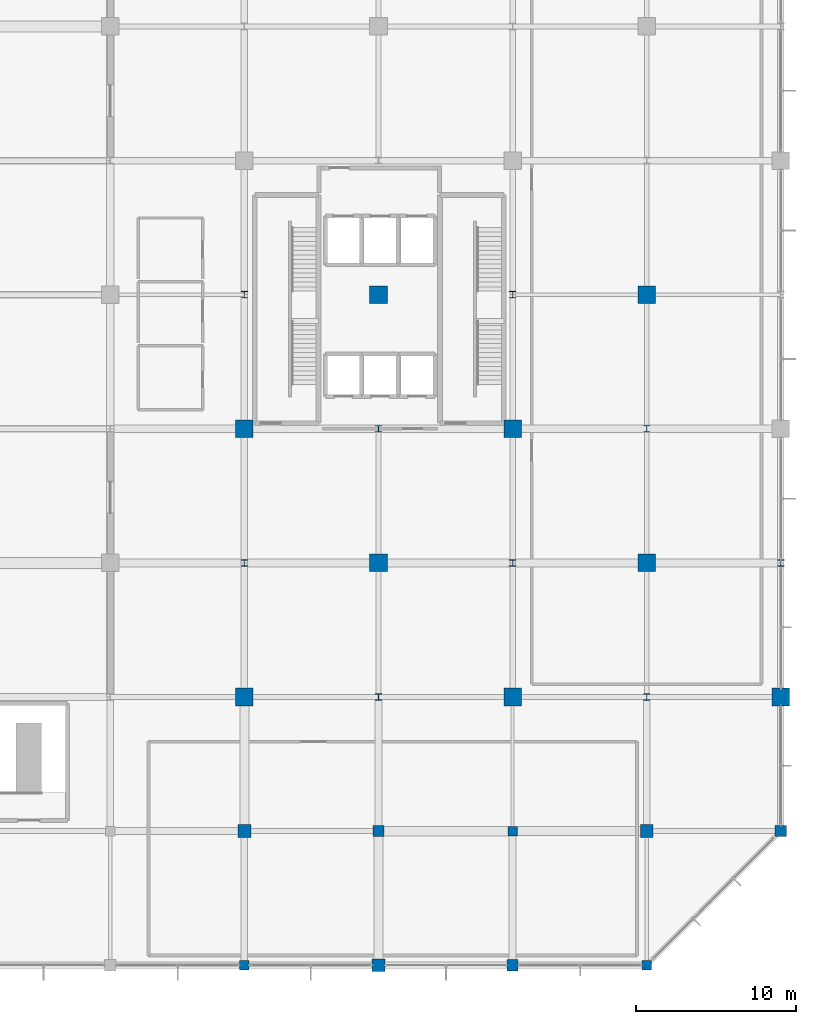
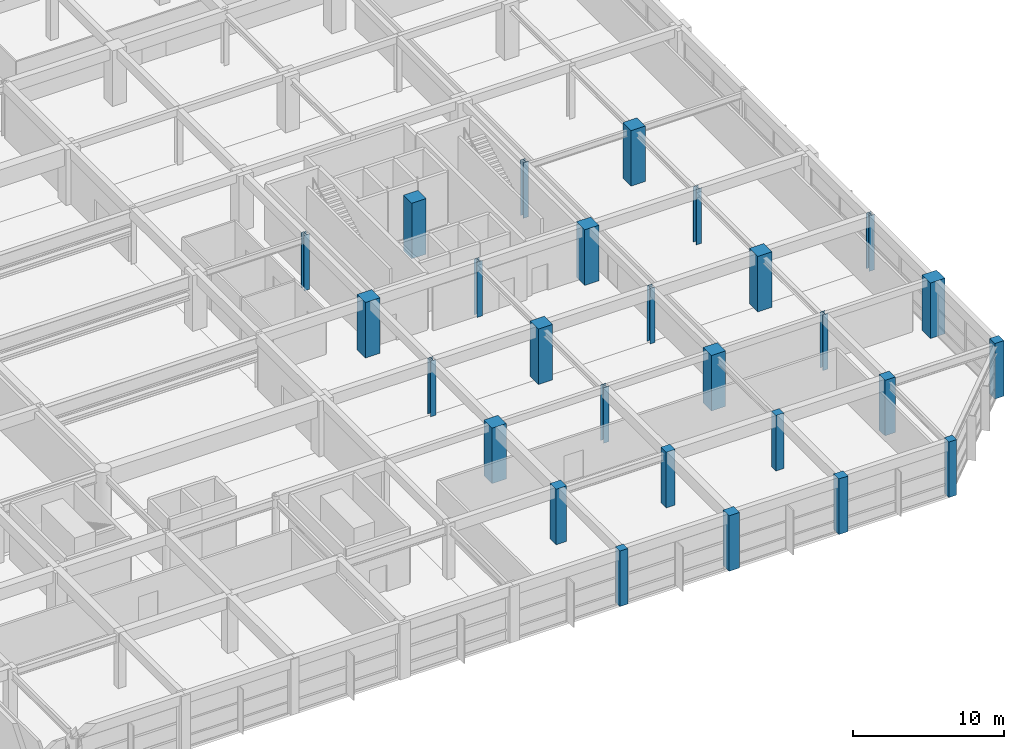
# One storey, part 7 of 56: 27 columns.
"""IFC4 building model written with IfcOpenShell, lengths in metres."""

from ifc_helpers import new_model, si_unit, direction, frame, origin, origin_2d, place, context, subcontext, project, spatial, rectangle, i_section, extrude, material, material_profile, profile_set, type_object, element, save


model = new_model("IFC4")

# Units and contexts
model_context = context("Model", 3, precision=1e-05, world=origin(), true_north=direction((0.0, 1.0)))
body_context = subcontext(model_context, "Body", "Model", "MODEL_VIEW")
ifc_project = project(units=[si_unit("LENGTHUNIT", "METRE"), si_unit("AREAUNIT", "SQUARE_METRE"), si_unit("VOLUMEUNIT", "CUBIC_METRE"), si_unit("PLANEANGLEUNIT", "RADIAN"), si_unit("MASSUNIT", "GRAM", prefix="KILO")], contexts=[model_context])

# Site, building, storey
site_placement = place(None, origin())
site = spatial("IfcSite", under=ifc_project, at=site_placement, CompositionType="ELEMENT")
building_placement = place(site_placement, origin())
building = spatial("IfcBuilding", under=site, at=building_placement, Name="Xuanlan Plaza Opera House", CompositionType="ELEMENT")
storey_placement = place(building_placement, frame((0.0, 0.0, 18.89990234375)))
storey = spatial("IfcBuildingStorey", under=building, at=storey_placement, Name="L04", CompositionType="ELEMENT", Elevation=18.89990234375)

# Columns
ifc_material_1 = material(Name="Concrete C50", Category="concrete")
ifc_material_profile_1 = material_profile(ifc_material_1, rectangle(XDim=1.10009765625, YDim=1.10009765625, at=origin_2d()), Name="RC-COL 1100x1100")
ifc_profile_set_1 = profile_set([ifc_material_profile_1], Name="Concrete C50")
column_type_1 = type_object("IfcColumnType", Name="STR-COL-C-03", PredefinedType="COLUMN", material=ifc_profile_set_1)
for number, where, z_axis, x_axis, name in (
    (1, (134.39990234375, 33.60009765625, 0.0), (0.0, 0.0, 1.0), (1.0, 0.0, 0.0), "Column L04 17-E"),
    (2, (134.39990234375, 50.39990234375, 0.0), (0.0, 0.0, 1.0), (1.0, 0.0, 0.0), "Column L04 17-G"),
    (3, (142.800048828125, 42.0, 0.0), (0.0, 0.0, 1.0), (1.0, 0.0, 0.0), "Column L04 18-F"),
    (4, (142.800048828125, 58.800048828125, 0.0), (0.0, 0.0, 1.0), (1.0, 0.0, 0.0), "Column L04 18-H"),
    (5, (151.199951171875, 33.60009765625, 0.0), (0.0, 0.0, 1.0), (1.0, 0.0, 0.0), "Column L04 19-E"),
    (6, (151.199951171875, 50.39990234375, 0.0), (0.0, 0.0, 1.0), (1.0, 0.0, 0.0), "Column L04 19-G"),
    (7, (159.60009765625, 42.0, 0.0), (0.0, 0.0, 1.0), (1.0, 0.0, 0.0), "Column L04 20-F"),
    (8, (159.60009765625, 58.800048828125, 0.0), (0.0, 0.0, 1.0), (1.0, 0.0, 0.0), "Column L04 20-H"),
    (9, (168.0, 33.60009765625, 0.0), (0.0, 0.0, 1.0), (1.0, 0.0, 0.0), "Column L04 21-E"),
):
    element("IfcColumn", number, at=place(storey_placement, frame(where, z_axis=z_axis, x_axis=x_axis)), inside=storey, type_object=column_type_1, Name=name, PredefinedType="COLUMN", context=body_context, shape_type="SweptSolid", body=[
        extrude(rectangle(XDim=1.10009765625, YDim=1.10009765625, at=origin_2d()), origin(), (0.0, 0.0, 1.0), 4.5),
    ])
ifc_material_2 = material(Name="Concrete C40", Category="concrete")
ifc_material_profile_2 = material_profile(ifc_material_2, rectangle(XDim=0.800048828125, YDim=0.800048828125, at=origin_2d()), Name="RC-COL 800x800")
ifc_profile_set_2 = profile_set([ifc_material_profile_2], Name="Concrete C40")
column_type_2 = type_object("IfcColumnType", Name="STR-COL-C-06", PredefinedType="COLUMN", material=ifc_profile_set_2)
for number, where, z_axis, x_axis, name in (
    (10, (134.39990234375, 25.199951171875, 0.0), (0.0, 0.0, 1.0), (1.0, 0.0, 0.0), "Column L04 17-D"),
    (11, (142.800048828125, 16.800048828125, 0.0), (0.0, 0.0, 1.0), (1.0, 0.0, 0.0), "Column L04 18-C"),
    (12, (159.60009765625, 25.199951171875, 0.0), (0.0, 0.0, 1.0), (1.0, 0.0, 0.0), "Column L04 20-D"),
):
    element("IfcColumn", number, at=place(storey_placement, frame(where, z_axis=z_axis, x_axis=x_axis)), inside=storey, type_object=column_type_2, Name=name, PredefinedType="COLUMN", context=body_context, shape_type="SweptSolid", body=[
        extrude(rectangle(XDim=0.800048828125, YDim=0.800048828125, at=origin_2d()), origin(), (0.0, 0.0, 1.0), 4.5),
    ])
ifc_material_profile_3 = material_profile(ifc_material_2, rectangle(XDim=0.699951171875, YDim=0.699951171875, at=origin_2d()), Name="RC-COL 700x700")
ifc_profile_set_3 = profile_set([ifc_material_profile_3], Name="Concrete C40")
column_type_3 = type_object("IfcColumnType", Name="STR-COL-C-07", PredefinedType="COLUMN", material=ifc_profile_set_3)
for number, where, z_axis, x_axis, name in (
    (13, (142.800048828125, 25.199951171875, 0.0), (0.0, 0.0, 1.0), (1.0, 0.0, 0.0), "Column L04 18-D"),
    (14, (151.199951171875, 16.800048828125, 0.0), (0.0, 0.0, 1.0), (1.0, 0.0, 0.0), "Column L04 19-C"),
    (15, (168.0, 25.199951171875, 0.0), (0.0, 0.0, 1.0), (1.0, 0.0, 0.0), "Column L04 21-D"),
):
    element("IfcColumn", number, at=place(storey_placement, frame(where, z_axis=z_axis, x_axis=x_axis)), inside=storey, type_object=column_type_3, Name=name, PredefinedType="COLUMN", context=body_context, shape_type="SweptSolid", body=[
        extrude(rectangle(XDim=0.699951171875, YDim=0.699951171875, at=origin_2d()), origin(), (0.0, 0.0, 1.0), 4.5),
    ])
ifc_material_profile_4 = material_profile(ifc_material_2, rectangle(XDim=0.60009765625, YDim=0.60009765625, at=origin_2d()), Name="RC-COL 600x600")
ifc_profile_set_4 = profile_set([ifc_material_profile_4], Name="Concrete C40")
column_type_4 = type_object("IfcColumnType", Name="STR-COL-C-08", PredefinedType="COLUMN", material=ifc_profile_set_4)
for number, where, z_axis, x_axis, name in (
    (16, (134.39990234375, 16.800048828125, 0.0), (0.0, 0.0, 1.0), (1.0, 0.0, 0.0), "Column L04 17-C"),
    (17, (151.199951171875, 25.199951171875, 0.0), (0.0, 0.0, 1.0), (1.0, 0.0, 0.0), "Column L04 19-D"),
    (18, (159.60009765625, 16.800048828125, 0.0), (0.0, 0.0, 1.0), (1.0, 0.0, 0.0), "Column L04 20-C"),
):
    element("IfcColumn", number, at=place(storey_placement, frame(where, z_axis=z_axis, x_axis=x_axis)), inside=storey, type_object=column_type_4, Name=name, PredefinedType="COLUMN", context=body_context, shape_type="SweptSolid", body=[
        extrude(rectangle(XDim=0.60009765625, YDim=0.60009765625, at=origin_2d()), origin(), (0.0, 0.0, 1.0), 4.5),
    ])
ifc_material_3 = material(Name="Steel Q355B", Category="steel")
ifc_material_profile_5 = material_profile(ifc_material_3, i_section(OverallWidth=0.39990234375, OverallDepth=0.39990234375, WebThickness=0.012939453125, FlangeThickness=0.02099609375, FilletRadius=0.02197265625, at=origin_2d()), Name="HW 400x400x13x21")
ifc_profile_set_5 = profile_set([ifc_material_profile_5], Name="Steel Q355B")
column_type_5 = type_object("IfcColumnType", Name="STR-COL-C-14", PredefinedType="COLUMN", material=ifc_profile_set_5)
for number, where, z_axis, x_axis, name in (
    (19, (134.39990234375, 42.0, 0.0), (0.0, 0.0, 1.0), (1.0, 0.0, 0.0), "Column L04 17-F"),
    (20, (134.39990234375, 58.800048828125, 0.0), (0.0, 0.0, 1.0), (1.0, 0.0, 0.0), "Column L04 17-H"),
    (21, (142.800048828125, 33.60009765625, 0.0), (0.0, 0.0, 1.0), (1.0, 0.0, 0.0), "Column L04 18-E"),
    (22, (142.800048828125, 50.39990234375, 0.0), (0.0, 0.0, 1.0), (1.0, 0.0, 0.0), "Column L04 18-G"),
    (23, (151.199951171875, 42.0, 0.0), (0.0, 0.0, 1.0), (1.0, 0.0, 0.0), "Column L04 19-F"),
    (24, (151.199951171875, 58.800048828125, 0.0), (0.0, 0.0, 1.0), (1.0, 0.0, 0.0), "Column L04 19-H"),
    (25, (159.60009765625, 33.60009765625, 0.0), (0.0, 0.0, 1.0), (1.0, 0.0, 0.0), "Column L04 20-E"),
    (26, (159.60009765625, 50.39990234375, 0.0), (0.0, 0.0, 1.0), (1.0, 0.0, 0.0), "Column L04 20-G"),
    (27, (168.0, 42.0, 0.0), (0.0, 0.0, 1.0), (1.0, 0.0, 0.0), "Column L04 21-F"),
):
    element("IfcColumn", number, at=place(storey_placement, frame(where, z_axis=z_axis, x_axis=x_axis)), inside=storey, type_object=column_type_5, Name=name, PredefinedType="COLUMN", context=body_context, shape_type="SweptSolid", body=[
        extrude(i_section(OverallWidth=0.39990234375, OverallDepth=0.39990234375, WebThickness=0.012939453125, FlangeThickness=0.02099609375, FilletRadius=0.02197265625, at=origin_2d()), origin(), (0.0, 0.0, 1.0), 4.5),
    ])

save(model, "model.ifc")
